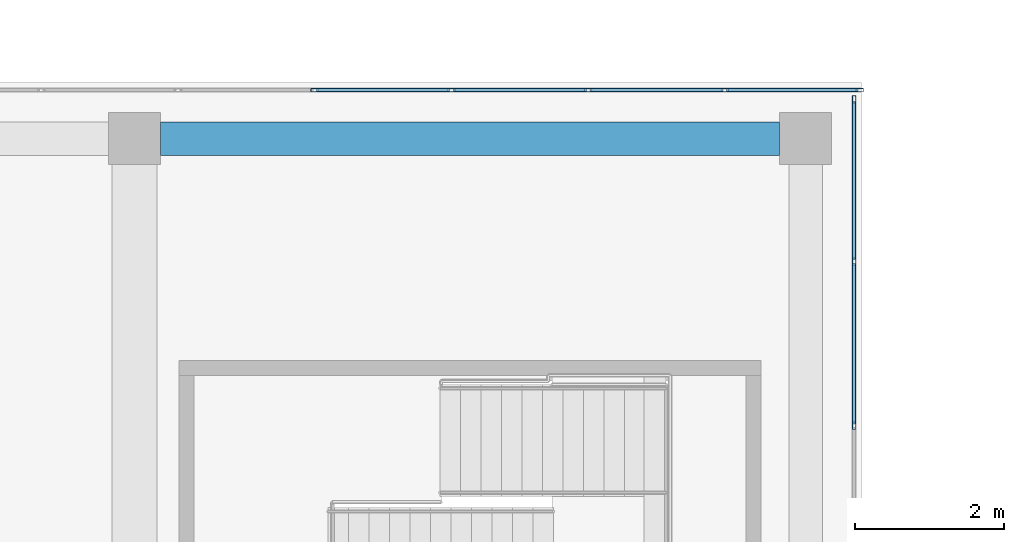
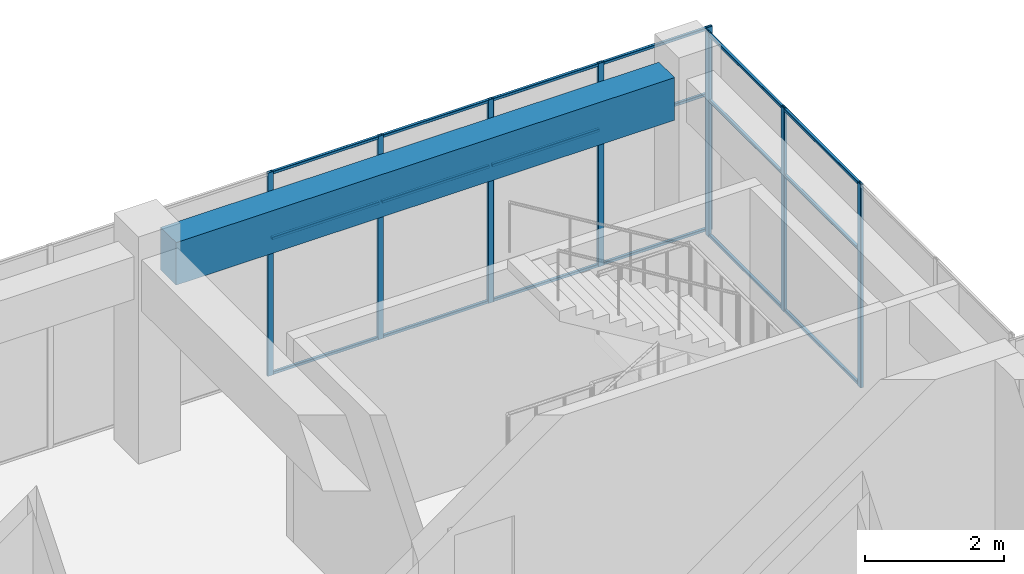
# One storey, part 25 of 32: 26 members, 1 beam, 2 elements without a shape of their own.
"""IFC4 building model written with IfcOpenShell, lengths in metres."""

import ifcopenshell
import ifcopenshell.guid

model = None  # the IFC model being written
_history = None  # IfcOwnerHistory: only IFC2X3 demands one
_inside = {}  # id of a spatial element -> (the spatial element, [elements in it])
_under = {}  # id of a project, library or spatial element -> (it, [spatial elements below it])
_declared = {}  # id of a project -> (the project, [libraries it declares])
_typed = {}  # id of a type object -> (the type object, [elements of that type])
_made_of = {}  # id of a material, layer set ... -> (it, [elements and type objects made of it])


def new_model(schema):
    """Start an empty IFC model of exactly this schema.

    Asked for "IFC4X3", IfcOpenShell would pick the latest addendum, in which some entities
    have other attributes; the version numbers below select the first issue.
    IFC2X3 requires an IfcOwnerHistory on every rooted entity: one is made here for all.
    """
    global model, _history
    if schema == "IFC4X3":
        model = ifcopenshell.file(schema_version=(4, 3, 0, 0))
    else:
        model = ifcopenshell.file(schema=schema)
    _inside.clear()
    _under.clear()
    _declared.clear()
    _typed.clear()
    _made_of.clear()
    _history = None
    if model.schema == "IFC2X3":
        org = make("IfcOrganization", Name="unknown")
        user = make(
            "IfcPersonAndOrganization",
            ThePerson=make("IfcPerson", FamilyName="unknown"),
            TheOrganization=org,
        )
        app = make(
            "IfcApplication",
            ApplicationDeveloper=org,
            Version="unknown",
            ApplicationFullName="unknown",
            ApplicationIdentifier="unknown",
        )
        _history = make(
            "IfcOwnerHistory",
            OwningUser=user,
            OwningApplication=app,
            ChangeAction="ADDED",
            CreationDate=0,
        )
    return model


def make(cls, **values):
    """One entity of the class cls with the attributes given. An attribute that is None is left unset."""
    return model.create_entity(
        cls, **{name: value for name, value in values.items() if value is not None}
    )


def rooted(cls, **values):
    """An entity with a GlobalId (a new one), such as an element, a storey or a relation."""
    return make(cls, GlobalId=ifcopenshell.guid.new(), OwnerHistory=_history, **values)


def si_unit(unit_type, name, prefix=None):
    """IfcSIUnit, for example si_unit("LENGTHUNIT", "METRE", prefix="MILLI")."""
    return make("IfcSIUnit", UnitType=unit_type, Prefix=prefix, Name=name)


def assignment(units):
    """IfcUnitAssignment: the units of a project."""
    return None if units is None else make("IfcUnitAssignment", Units=units)


def point(xyz):
    """IfcCartesianPoint."""
    return None if xyz is None else make("IfcCartesianPoint", Coordinates=xyz)


def direction(xyz):
    """IfcDirection."""
    return None if xyz is None else make("IfcDirection", DirectionRatios=xyz)


def frame(location, z_axis=None, x_axis=None):
    """IfcAxis2Placement3D, a coordinate frame: its origin and axes. An axis left out is left unset."""
    return make(
        "IfcAxis2Placement3D",
        Location=point(location),
        Axis=direction(z_axis),
        RefDirection=direction(x_axis),
    )


def frame_2d(location, x_axis=None):
    """IfcAxis2Placement2D, a coordinate frame in the plane: its origin and x axis."""
    return make(
        "IfcAxis2Placement2D", Location=point(location), RefDirection=direction(x_axis)
    )


def origin():
    """The frame at (0, 0, 0) with its axes left unset."""
    return frame((0.0, 0.0, 0.0))


def origin_2d():
    """The frame at (0, 0) in the plane with its x axis left unset."""
    return frame_2d((0.0, 0.0))


def place(relative_to, where):
    """IfcLocalPlacement: puts the frame where relative to a parent placement (None: the world)."""
    return make(
        "IfcLocalPlacement", PlacementRelTo=relative_to, RelativePlacement=where
    )


def context(
    kind, dimensions, precision=None, world=None, true_north=None, identifier=None
):
    """IfcGeometricRepresentationContext, for example the 3D "Model" context."""
    return make(
        "IfcGeometricRepresentationContext",
        ContextIdentifier=identifier,
        ContextType=kind,
        CoordinateSpaceDimension=dimensions,
        Precision=precision,
        WorldCoordinateSystem=world,
        TrueNorth=true_north,
    )


def subcontext(parent, identifier, kind, view, scale=None):
    """IfcGeometricRepresentationSubContext, for example "Body" below "Model"."""
    return make(
        "IfcGeometricRepresentationSubContext",
        ContextIdentifier=identifier,
        ContextType=kind,
        ParentContext=parent,
        TargetScale=scale,
        TargetView=view,
    )


def project(units=None, contexts=None):
    """IfcProject with its units and contexts."""
    return rooted(
        "IfcProject",
        Name="project",
        RepresentationContexts=contexts,
        UnitsInContext=assignment(units),
    )


def spatial(cls, under=None, at=None, **own):
    """A site, building, storey or space (cls), placed at a placement, below another one or the project."""
    s = rooted(cls, ObjectPlacement=at, **own)
    if under is not None:
        _under.setdefault(under.id(), (under, []))[1].append(s)
    return s


def profile(cls, at=None, kind="AREA", **sizes):
    """A parametric profile (cls). Its sizes go by their IFC names, for example OverallWidth=200.0."""
    return make(cls, ProfileType=kind, Position=at, **sizes)


def rectangle(**sizes):
    """IfcRectangleProfileDef."""
    return profile("IfcRectangleProfileDef", **sizes)


def hollow_rectangle(**sizes):
    """IfcRectangleHollowProfileDef."""
    return profile("IfcRectangleHollowProfileDef", **sizes)


def extrude(swept, where, along, depth):
    """IfcExtrudedAreaSolid: the profile swept, set in the frame where, extruded along a direction by depth."""
    return make(
        "IfcExtrudedAreaSolid",
        SweptArea=swept,
        Position=where,
        ExtrudedDirection=direction(along),
        Depth=depth,
    )


def shape(context_of_items, identifier, shape_type, items):
    """IfcShapeRepresentation: the items that make up one representation, for example the "Body"."""
    return make(
        "IfcShapeRepresentation",
        ContextOfItems=context_of_items,
        RepresentationIdentifier=identifier,
        RepresentationType=shape_type,
        Items=items,
    )


def material(Name=None, Category=None):
    """IfcMaterial."""
    return make("IfcMaterial", Name=Name, Category=Category)


def layer(
    of_material, thickness, ventilated=None, Name=None, Category=None, Priority=None
):
    """IfcMaterialLayer: one layer of a wall or slab, of a material (None: an air gap)."""
    return make(
        "IfcMaterialLayer",
        Material=of_material,
        LayerThickness=thickness,
        IsVentilated=ventilated,
        Name=Name,
        Category=Category,
        Priority=Priority,
    )


def layer_set(layers, Name=None):
    """IfcMaterialLayerSet."""
    return make("IfcMaterialLayerSet", MaterialLayers=layers, LayerSetName=Name)


def material_profile(
    of_material, cross_section, Name=None, Category=None, Priority=None
):
    """IfcMaterialProfile: a cross section and its material."""
    return make(
        "IfcMaterialProfile",
        Name=Name,
        Material=of_material,
        Profile=cross_section,
        Priority=Priority,
        Category=Category,
    )


def profile_set(profiles, Name=None, composite=None):
    """IfcMaterialProfileSet."""
    return make(
        "IfcMaterialProfileSet",
        Name=Name,
        MaterialProfiles=profiles,
        CompositeProfile=composite,
    )


def made_of(thing, what):
    """Note that an element or type object is made of a material, layer set ...; save() writes the relation."""
    if what is not None:
        _made_of.setdefault(what.id(), (what, []))[1].append(thing)
    return thing


def type_object(cls, material=None, **own):
    """A type object (cls), such as IfcWallType, which elements share."""
    return made_of(rooted(cls, **own), material)


def element(
    cls,
    number,
    at=None,
    inside=None,
    cuts=None,
    type_object=None,
    material=None,
    context=None,
    identifier="Body",
    shape_type=None,
    held_by="IfcProductDefinitionShape",
    body=None,
    shapes=None,
    **own,
):
    """One element of the class cls, such as IfcWall. Its Tag is "e" and its number.

    at: its placement. inside: the storey or other place that contains it. cuts: it is an
    opening in that element (IfcRelVoidsElement). A single representation is given by context,
    identifier, shape_type and body (its items); several are given by shapes. held_by: the class
    of the entity that holds the representations. save() writes the other relations.
    """
    e = rooted(cls, Tag="e%d" % number, ObjectPlacement=at, **own)
    if body is not None:
        shapes = [shape(context, identifier, shape_type, body)]
    if shapes is not None:
        e.Representation = make(held_by, Representations=shapes)
    if inside is not None:
        _inside.setdefault(inside.id(), (inside, []))[1].append(e)
    if cuts is not None:
        rooted(
            "IfcRelVoidsElement", RelatingBuildingElement=cuts, RelatedOpeningElement=e
        )
    if type_object is not None:
        _typed.setdefault(type_object.id(), (type_object, []))[1].append(e)
    return made_of(e, material)


def aggregate(whole, parts):
    """IfcRelAggregates: a whole, such as a stair, and the parts it consists of."""
    return rooted("IfcRelAggregates", RelatingObject=whole, RelatedObjects=parts)


def save(model, path):
    """Write the relations noted so far, then the file.

    IfcRelAggregates (storeys below a building ...), IfcRelContainedInSpatialStructure (elements
    in a storey), IfcRelDefinesByType, IfcRelAssociatesMaterial and IfcRelDeclares: one each for
    every whole, place, type object, material and project.
    """
    for whole, parts in _under.values():
        aggregate(whole, parts)
    for where, things in _inside.values():
        rooted(
            "IfcRelContainedInSpatialStructure",
            RelatedElements=things,
            RelatingStructure=where,
        )
    for kind, things in _typed.values():
        rooted("IfcRelDefinesByType", RelatedObjects=things, RelatingType=kind)
    for what, things in _made_of.values():
        rooted("IfcRelAssociatesMaterial", RelatedObjects=things, RelatingMaterial=what)
    for by, libraries in _declared.values():
        rooted("IfcRelDeclares", RelatingContext=by, RelatedDefinitions=libraries)
    model.write(path)


model = new_model("IFC4")

# Units and contexts
model_context = context("Model", 3, precision=1e-05, world=origin(), true_north=direction((0.0, 1.0)))
body_context = subcontext(model_context, "Body", "Model", "MODEL_VIEW")
ifc_project = project(units=[si_unit("LENGTHUNIT", "METRE"), si_unit("AREAUNIT", "SQUARE_METRE"), si_unit("VOLUMEUNIT", "CUBIC_METRE"), si_unit("PLANEANGLEUNIT", "RADIAN"), si_unit("MASSUNIT", "GRAM", prefix="KILO")], contexts=[model_context])

# Site, building, storey
site_placement = place(None, origin())
site = spatial("IfcSite", under=ifc_project, at=site_placement, CompositionType="ELEMENT")
building_placement = place(site_placement, origin())
building = spatial("IfcBuilding", under=site, at=building_placement, Name="Tuart Plaza Theatre", CompositionType="ELEMENT")
storey_placement = place(building_placement, frame((0.0, 0.0, 37.5)))
storey = spatial("IfcBuildingStorey", under=building, at=storey_placement, Name="L09", CompositionType="ELEMENT", Elevation=37.5)

# Beam
ifc_material_1 = material(Name="Concrete N40 (40 MPa)", Category="concrete")
ifc_material_profile_1 = material_profile(ifc_material_1, rectangle(XDim=0.449951171875, YDim=0.75, at=origin_2d()), Name="BEAM 450x750 Concrete N40 (40 MPa)")
ifc_profile_set_1 = profile_set([ifc_material_profile_1], Name="Concrete N40 (40 MPa)")
beam_type = type_object("IfcBeamType", Name="BEAM 450x750 Concrete N40 (40 MPa)", PredefinedType="BEAM", material=ifc_profile_set_1)
beam_placement = place(storey_placement, frame((132.35009765625, 92.0, 3.205078125), z_axis=(1.0, 0.0, 0.0), x_axis=(0.0, 1.0, 0.0)))
element("IfcBeam", 1, at=beam_placement, inside=storey, type_object=beam_type, Name="RB271", PredefinedType="BEAM", context=body_context, shape_type="SweptSolid", body=[
    extrude(rectangle(XDim=0.449951171875, YDim=0.75, at=origin_2d()), origin(), (0.0, 0.0, 1.0), 8.2998046875),
])

# Curtain wall, members
ifc_material_2 = material(Name="Aluminium and glass", Category="aluminium")
ifc_layer_1 = layer(ifc_material_2, 0.10009765625)
ifc_layer_set_1 = layer_set([ifc_layer_1], Name="CURTAIN WALL 2000 module")
curtain_wall_type_1 = type_object("IfcCurtainWallType", Name="CURTAIN WALL 2000 module", PredefinedType="NOTDEFINED", material=ifc_layer_set_1)
curtain_wall_1_placement = place(storey_placement, origin())
curtain_wall_1 = element("IfcCurtainWall", 2, at=curtain_wall_1_placement, inside=storey, type_object=curtain_wall_type_1, Name="CW94", PredefinedType="NOTDEFINED")
ifc_material_3 = material(Name="Aluminium 6063-T5", Category="aluminium")
ifc_material_profile_2 = material_profile(ifc_material_3, hollow_rectangle(XDim=0.050048828125, YDim=0.10009765625, WallThickness=0.00390625, InnerFilletRadius=0.00390625, OuterFilletRadius=0.008056640625, at=origin_2d()), Name="RHS 100x50x4")
ifc_profile_set_2 = profile_set([ifc_material_profile_2], Name="Aluminium 6063-T5")
member_type_1 = type_object("IfcMemberType", Name="MULLION RHS 100x50x4", PredefinedType="MULLION", material=ifc_profile_set_2)
member_1_placement = place(storey_placement, frame((141.64990234375, 88.14990234375, 0.0), z_axis=(0.0, 0.0, 1.0), x_axis=(-1.0, 0.0, 0.0)))
member_1 = element("IfcMember", 3, at=member_1_placement, type_object=member_type_1, Name="CW94 mullion 3", PredefinedType="MULLION", context=body_context, shape_type="SweptSolid", body=[
    extrude(hollow_rectangle(XDim=0.050048828125, YDim=0.10009765625, WallThickness=0.00390625, InnerFilletRadius=0.00390625, OuterFilletRadius=0.008056640625, at=origin_2d()), origin(), (0.0, 0.0, 1.0), 3.580078125),
])
member_2_placement = place(storey_placement, frame((141.64990234375, 90.35009765625, 0.0), z_axis=(0.0, 0.0, 1.0), x_axis=(-1.0, 0.0, 0.0)))
member_2 = element("IfcMember", 4, at=member_2_placement, type_object=member_type_1, Name="CW94 mullion 4", PredefinedType="MULLION", context=body_context, shape_type="SweptSolid", body=[
    extrude(hollow_rectangle(XDim=0.050048828125, YDim=0.10009765625, WallThickness=0.00390625, InnerFilletRadius=0.00390625, OuterFilletRadius=0.008056640625, at=origin_2d()), origin(), (0.0, 0.0, 1.0), 3.580078125),
])
member_3_placement = place(storey_placement, frame((141.64990234375, 92.52490234375, 0.0), z_axis=(0.0, 0.0, 1.0), x_axis=(-1.0, 0.0, 0.0)))
member_3 = element("IfcMember", 5, at=member_3_placement, type_object=member_type_1, Name="CW94 mullion 5", PredefinedType="MULLION", context=body_context, shape_type="SweptSolid", body=[
    extrude(hollow_rectangle(XDim=0.050048828125, YDim=0.10009765625, WallThickness=0.00390625, InnerFilletRadius=0.00390625, OuterFilletRadius=0.008056640625, at=origin_2d()), origin(), (0.0, 0.0, 1.0), 3.580078125),
])

ifc_material_4 = material(Name="Aluminium and glass", Category="aluminium")
ifc_layer_2 = layer(ifc_material_4, 0.10009765625)
ifc_layer_set_2 = layer_set([ifc_layer_2], Name="CURTAIN WALL 1800 module")
curtain_wall_type_2 = type_object("IfcCurtainWallType", Name="CURTAIN WALL 1800 module", PredefinedType="NOTDEFINED", material=ifc_layer_set_2)
curtain_wall_2_placement = place(storey_placement, origin())
curtain_wall_2 = element("IfcCurtainWall", 6, at=curtain_wall_2_placement, inside=storey, type_object=curtain_wall_type_2, Name="CW95", PredefinedType="NOTDEFINED")
member_4_placement = place(storey_placement, frame((141.72509765625, 92.64990234375, 0.0), z_axis=(0.0, 0.0, 1.0), x_axis=(0.0, -1.0, 0.0)))
member_4 = element("IfcMember", 7, at=member_4_placement, type_object=member_type_1, Name="CW95 mullion 1", PredefinedType="MULLION", context=body_context, shape_type="SweptSolid", body=[
    extrude(hollow_rectangle(XDim=0.050048828125, YDim=0.10009765625, WallThickness=0.00390625, InnerFilletRadius=0.00390625, OuterFilletRadius=0.008056640625, at=origin_2d()), origin(), (0.0, 0.0, 1.0), 3.580078125),
])
member_5_placement = place(storey_placement, frame((139.916748046875, 92.64990234375, 0.0), z_axis=(0.0, 0.0, 1.0), x_axis=(0.0, -1.0, 0.0)))
member_5 = element("IfcMember", 8, at=member_5_placement, type_object=member_type_1, Name="CW95 mullion 2", PredefinedType="MULLION", context=body_context, shape_type="SweptSolid", body=[
    extrude(hollow_rectangle(XDim=0.050048828125, YDim=0.10009765625, WallThickness=0.00390625, InnerFilletRadius=0.00390625, OuterFilletRadius=0.008056640625, at=origin_2d()), origin(), (0.0, 0.0, 1.0), 3.580078125),
])
member_6_placement = place(storey_placement, frame((138.083251953125, 92.64990234375, 0.0), z_axis=(0.0, 0.0, 1.0), x_axis=(0.0, -1.0, 0.0)))
member_6 = element("IfcMember", 9, at=member_6_placement, type_object=member_type_1, Name="CW95 mullion 3", PredefinedType="MULLION", context=body_context, shape_type="SweptSolid", body=[
    extrude(hollow_rectangle(XDim=0.050048828125, YDim=0.10009765625, WallThickness=0.00390625, InnerFilletRadius=0.00390625, OuterFilletRadius=0.008056640625, at=origin_2d()), origin(), (0.0, 0.0, 1.0), 3.580078125),
])
member_7_placement = place(storey_placement, frame((136.25, 92.64990234375, 0.0), z_axis=(0.0, 0.0, 1.0), x_axis=(0.0, -1.0, 0.0)))
member_7 = element("IfcMember", 10, at=member_7_placement, type_object=member_type_1, Name="CW95 mullion 4", PredefinedType="MULLION", context=body_context, shape_type="SweptSolid", body=[
    extrude(hollow_rectangle(XDim=0.050048828125, YDim=0.10009765625, WallThickness=0.00390625, InnerFilletRadius=0.00390625, OuterFilletRadius=0.008056640625, at=origin_2d()), origin(), (0.0, 0.0, 1.0), 3.580078125),
])
member_8_placement = place(storey_placement, frame((134.416748046875, 92.64990234375, 0.0), z_axis=(0.0, 0.0, 1.0), x_axis=(0.0, -1.0, 0.0)))
member_8 = element("IfcMember", 11, at=member_8_placement, type_object=member_type_1, Name="CW95 mullion 5", PredefinedType="MULLION", context=body_context, shape_type="SweptSolid", body=[
    extrude(hollow_rectangle(XDim=0.050048828125, YDim=0.10009765625, WallThickness=0.00390625, InnerFilletRadius=0.00390625, OuterFilletRadius=0.008056640625, at=origin_2d()), origin(), (0.0, 0.0, 1.0), 3.580078125),
])

# Member
ifc_material_5 = material(Name="Aluminium 6063-T5", Category="aluminium")
ifc_material_profile_3 = material_profile(ifc_material_5, hollow_rectangle(XDim=0.050048828125, YDim=0.050048828125, WallThickness=0.00390625, InnerFilletRadius=0.00390625, OuterFilletRadius=0.008056640625, at=origin_2d()), Name="RHS 50x50x4")
ifc_profile_set_3 = profile_set([ifc_material_profile_3], Name="Aluminium 6063-T5")
member_type_2 = type_object("IfcMemberType", Name="TRANSOM RHS 50x50x4", PredefinedType="USERDEFINED", material=ifc_profile_set_3)
member_9_placement = place(storey_placement, frame((141.64990234375, 88.175048828125, 0.02490234375), z_axis=(0.0, 1.0, 0.0), x_axis=(-1.0, 0.0, 0.0)))
member_9 = element("IfcMember", 12, at=member_9_placement, type_object=member_type_2, Name="CW94 transom 3.1", ObjectType="TRANSOM", PredefinedType="USERDEFINED", context=body_context, shape_type="SweptSolid", body=[
    extrude(hollow_rectangle(XDim=0.050048828125, YDim=0.050048828125, WallThickness=0.00390625, InnerFilletRadius=0.00390625, OuterFilletRadius=0.008056640625, at=origin_2d()), origin(), (0.0, 0.0, 1.0), 2.14990234375),
])

member_10_placement = place(storey_placement, frame((141.64990234375, 88.175048828125, 2.39990234375), z_axis=(0.0, 1.0, 0.0), x_axis=(-1.0, 0.0, 0.0)))
member_10 = element("IfcMember", 13, at=member_10_placement, type_object=member_type_2, Name="CW94 transom 3.2", ObjectType="TRANSOM", PredefinedType="USERDEFINED", context=body_context, shape_type="SweptSolid", body=[
    extrude(hollow_rectangle(XDim=0.050048828125, YDim=0.050048828125, WallThickness=0.00390625, InnerFilletRadius=0.00390625, OuterFilletRadius=0.008056640625, at=origin_2d()), origin(), (0.0, 0.0, 1.0), 2.14990234375),
])

member_11_placement = place(storey_placement, frame((141.64990234375, 88.175048828125, 3.554931640625), z_axis=(0.0, 1.0, 0.0), x_axis=(-1.0, 0.0, 0.0)))
member_11 = element("IfcMember", 14, at=member_11_placement, type_object=member_type_2, Name="CW94 transom 3.3", ObjectType="TRANSOM", PredefinedType="USERDEFINED", context=body_context, shape_type="SweptSolid", body=[
    extrude(hollow_rectangle(XDim=0.050048828125, YDim=0.050048828125, WallThickness=0.00390625, InnerFilletRadius=0.00390625, OuterFilletRadius=0.008056640625, at=origin_2d()), origin(), (0.0, 0.0, 1.0), 2.14990234375),
])

member_12_placement = place(storey_placement, frame((141.64990234375, 90.375, 0.02490234375), z_axis=(0.0, 1.0, 0.0), x_axis=(-1.0, 0.0, 0.0)))
member_12 = element("IfcMember", 15, at=member_12_placement, type_object=member_type_2, Name="CW94 transom 4.1", ObjectType="TRANSOM", PredefinedType="USERDEFINED", context=body_context, shape_type="SweptSolid", body=[
    extrude(hollow_rectangle(XDim=0.050048828125, YDim=0.050048828125, WallThickness=0.00390625, InnerFilletRadius=0.00390625, OuterFilletRadius=0.008056640625, at=origin_2d()), origin(), (0.0, 0.0, 1.0), 2.125),
])

member_13_placement = place(storey_placement, frame((141.64990234375, 90.375, 2.39990234375), z_axis=(0.0, 1.0, 0.0), x_axis=(-1.0, 0.0, 0.0)))
member_13 = element("IfcMember", 16, at=member_13_placement, type_object=member_type_2, Name="CW94 transom 4.2", ObjectType="TRANSOM", PredefinedType="USERDEFINED", context=body_context, shape_type="SweptSolid", body=[
    extrude(hollow_rectangle(XDim=0.050048828125, YDim=0.050048828125, WallThickness=0.00390625, InnerFilletRadius=0.00390625, OuterFilletRadius=0.008056640625, at=origin_2d()), origin(), (0.0, 0.0, 1.0), 2.125),
])

member_14_placement = place(storey_placement, frame((141.64990234375, 90.375, 3.554931640625), z_axis=(0.0, 1.0, 0.0), x_axis=(-1.0, 0.0, 0.0)))
member_14 = element("IfcMember", 17, at=member_14_placement, type_object=member_type_2, Name="CW94 transom 4.3", ObjectType="TRANSOM", PredefinedType="USERDEFINED", context=body_context, shape_type="SweptSolid", body=[
    extrude(hollow_rectangle(XDim=0.050048828125, YDim=0.050048828125, WallThickness=0.00390625, InnerFilletRadius=0.00390625, OuterFilletRadius=0.008056640625, at=origin_2d()), origin(), (0.0, 0.0, 1.0), 2.125),
])

aggregate(curtain_wall_1, [member_1, member_2, member_3, member_9, member_10, member_11, member_12, member_13, member_14])

member_15_placement = place(storey_placement, frame((141.699951171875, 92.64990234375, 0.02490234375), z_axis=(-1.0, 0.0, 0.0), x_axis=(0.0, -1.0, 0.0)))
member_15 = element("IfcMember", 18, at=member_15_placement, type_object=member_type_2, Name="CW95 transom 1.1", ObjectType="TRANSOM", PredefinedType="USERDEFINED", context=body_context, shape_type="SweptSolid", body=[
    extrude(hollow_rectangle(XDim=0.050048828125, YDim=0.050048828125, WallThickness=0.00390625, InnerFilletRadius=0.00390625, OuterFilletRadius=0.008056640625, at=origin_2d()), origin(), (0.0, 0.0, 1.0), 1.75830078125),
])

member_16_placement = place(storey_placement, frame((141.699951171875, 92.64990234375, 2.39990234375), z_axis=(-1.0, 0.0, 0.0), x_axis=(0.0, -1.0, 0.0)))
member_16 = element("IfcMember", 19, at=member_16_placement, type_object=member_type_2, Name="CW95 transom 1.2", ObjectType="TRANSOM", PredefinedType="USERDEFINED", context=body_context, shape_type="SweptSolid", body=[
    extrude(hollow_rectangle(XDim=0.050048828125, YDim=0.050048828125, WallThickness=0.00390625, InnerFilletRadius=0.00390625, OuterFilletRadius=0.008056640625, at=origin_2d()), origin(), (0.0, 0.0, 1.0), 1.75830078125),
])

member_17_placement = place(storey_placement, frame((141.699951171875, 92.64990234375, 3.554931640625), z_axis=(-1.0, 0.0, 0.0), x_axis=(0.0, -1.0, 0.0)))
member_17 = element("IfcMember", 20, at=member_17_placement, type_object=member_type_2, Name="CW95 transom 1.3", ObjectType="TRANSOM", PredefinedType="USERDEFINED", context=body_context, shape_type="SweptSolid", body=[
    extrude(hollow_rectangle(XDim=0.050048828125, YDim=0.050048828125, WallThickness=0.00390625, InnerFilletRadius=0.00390625, OuterFilletRadius=0.008056640625, at=origin_2d()), origin(), (0.0, 0.0, 1.0), 1.75830078125),
])

member_18_placement = place(storey_placement, frame((139.8916015625, 92.64990234375, 0.02490234375), z_axis=(-1.0, 0.0, 0.0), x_axis=(0.0, -1.0, 0.0)))
member_18 = element("IfcMember", 21, at=member_18_placement, type_object=member_type_2, Name="CW95 transom 2.1", ObjectType="TRANSOM", PredefinedType="USERDEFINED", context=body_context, shape_type="SweptSolid", body=[
    extrude(hollow_rectangle(XDim=0.050048828125, YDim=0.050048828125, WallThickness=0.00390625, InnerFilletRadius=0.00390625, OuterFilletRadius=0.008056640625, at=origin_2d()), origin(), (0.0, 0.0, 1.0), 1.783203125),
])

member_19_placement = place(storey_placement, frame((139.8916015625, 92.64990234375, 2.39990234375), z_axis=(-1.0, 0.0, 0.0), x_axis=(0.0, -1.0, 0.0)))
member_19 = element("IfcMember", 22, at=member_19_placement, type_object=member_type_2, Name="CW95 transom 2.2", ObjectType="TRANSOM", PredefinedType="USERDEFINED", context=body_context, shape_type="SweptSolid", body=[
    extrude(hollow_rectangle(XDim=0.050048828125, YDim=0.050048828125, WallThickness=0.00390625, InnerFilletRadius=0.00390625, OuterFilletRadius=0.008056640625, at=origin_2d()), origin(), (0.0, 0.0, 1.0), 1.783203125),
])

member_20_placement = place(storey_placement, frame((139.8916015625, 92.64990234375, 3.554931640625), z_axis=(-1.0, 0.0, 0.0), x_axis=(0.0, -1.0, 0.0)))
member_20 = element("IfcMember", 23, at=member_20_placement, type_object=member_type_2, Name="CW95 transom 2.3", ObjectType="TRANSOM", PredefinedType="USERDEFINED", context=body_context, shape_type="SweptSolid", body=[
    extrude(hollow_rectangle(XDim=0.050048828125, YDim=0.050048828125, WallThickness=0.00390625, InnerFilletRadius=0.00390625, OuterFilletRadius=0.008056640625, at=origin_2d()), origin(), (0.0, 0.0, 1.0), 1.783203125),
])

member_21_placement = place(storey_placement, frame((138.058349609375, 92.64990234375, 0.02490234375), z_axis=(-1.0, 0.0, 0.0), x_axis=(0.0, -1.0, 0.0)))
member_21 = element("IfcMember", 24, at=member_21_placement, type_object=member_type_2, Name="CW95 transom 3.1", ObjectType="TRANSOM", PredefinedType="USERDEFINED", context=body_context, shape_type="SweptSolid", body=[
    extrude(hollow_rectangle(XDim=0.050048828125, YDim=0.050048828125, WallThickness=0.00390625, InnerFilletRadius=0.00390625, OuterFilletRadius=0.008056640625, at=origin_2d()), origin(), (0.0, 0.0, 1.0), 1.783447265625),
])

member_22_placement = place(storey_placement, frame((138.058349609375, 92.64990234375, 2.39990234375), z_axis=(-1.0, 0.0, 0.0), x_axis=(0.0, -1.0, 0.0)))
member_22 = element("IfcMember", 25, at=member_22_placement, type_object=member_type_2, Name="CW95 transom 3.2", ObjectType="TRANSOM", PredefinedType="USERDEFINED", context=body_context, shape_type="SweptSolid", body=[
    extrude(hollow_rectangle(XDim=0.050048828125, YDim=0.050048828125, WallThickness=0.00390625, InnerFilletRadius=0.00390625, OuterFilletRadius=0.008056640625, at=origin_2d()), origin(), (0.0, 0.0, 1.0), 1.783447265625),
])

member_23_placement = place(storey_placement, frame((138.058349609375, 92.64990234375, 3.554931640625), z_axis=(-1.0, 0.0, 0.0), x_axis=(0.0, -1.0, 0.0)))
member_23 = element("IfcMember", 26, at=member_23_placement, type_object=member_type_2, Name="CW95 transom 3.3", ObjectType="TRANSOM", PredefinedType="USERDEFINED", context=body_context, shape_type="SweptSolid", body=[
    extrude(hollow_rectangle(XDim=0.050048828125, YDim=0.050048828125, WallThickness=0.00390625, InnerFilletRadius=0.00390625, OuterFilletRadius=0.008056640625, at=origin_2d()), origin(), (0.0, 0.0, 1.0), 1.783447265625),
])

member_24_placement = place(storey_placement, frame((136.22509765625, 92.64990234375, 0.02490234375), z_axis=(-1.0, 0.0, 0.0), x_axis=(0.0, -1.0, 0.0)))
member_24 = element("IfcMember", 27, at=member_24_placement, type_object=member_type_2, Name="CW95 transom 4.1", ObjectType="TRANSOM", PredefinedType="USERDEFINED", context=body_context, shape_type="SweptSolid", body=[
    extrude(hollow_rectangle(XDim=0.050048828125, YDim=0.050048828125, WallThickness=0.00390625, InnerFilletRadius=0.00390625, OuterFilletRadius=0.008056640625, at=origin_2d()), origin(), (0.0, 0.0, 1.0), 1.783447265625),
])

member_25_placement = place(storey_placement, frame((136.22509765625, 92.64990234375, 2.39990234375), z_axis=(-1.0, 0.0, 0.0), x_axis=(0.0, -1.0, 0.0)))
member_25 = element("IfcMember", 28, at=member_25_placement, type_object=member_type_2, Name="CW95 transom 4.2", ObjectType="TRANSOM", PredefinedType="USERDEFINED", context=body_context, shape_type="SweptSolid", body=[
    extrude(hollow_rectangle(XDim=0.050048828125, YDim=0.050048828125, WallThickness=0.00390625, InnerFilletRadius=0.00390625, OuterFilletRadius=0.008056640625, at=origin_2d()), origin(), (0.0, 0.0, 1.0), 1.783447265625),
])

member_26_placement = place(storey_placement, frame((136.22509765625, 92.64990234375, 3.554931640625), z_axis=(-1.0, 0.0, 0.0), x_axis=(0.0, -1.0, 0.0)))
member_26 = element("IfcMember", 29, at=member_26_placement, type_object=member_type_2, Name="CW95 transom 4.3", ObjectType="TRANSOM", PredefinedType="USERDEFINED", context=body_context, shape_type="SweptSolid", body=[
    extrude(hollow_rectangle(XDim=0.050048828125, YDim=0.050048828125, WallThickness=0.00390625, InnerFilletRadius=0.00390625, OuterFilletRadius=0.008056640625, at=origin_2d()), origin(), (0.0, 0.0, 1.0), 1.783447265625),
])

aggregate(curtain_wall_2, [member_4, member_5, member_6, member_7, member_8, member_15, member_16, member_17, member_18, member_19, member_20, member_21, member_22, member_23, member_24, member_25, member_26])

save(model, "model.ifc")
